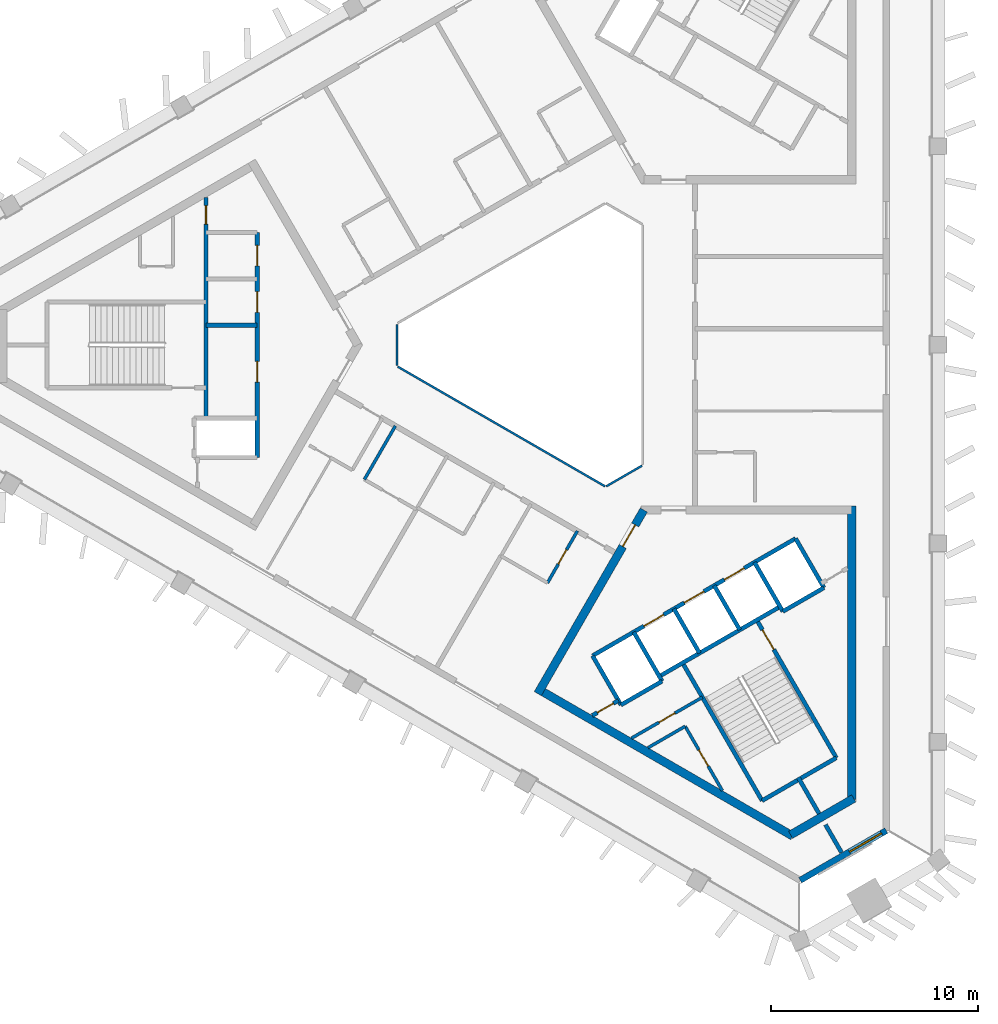
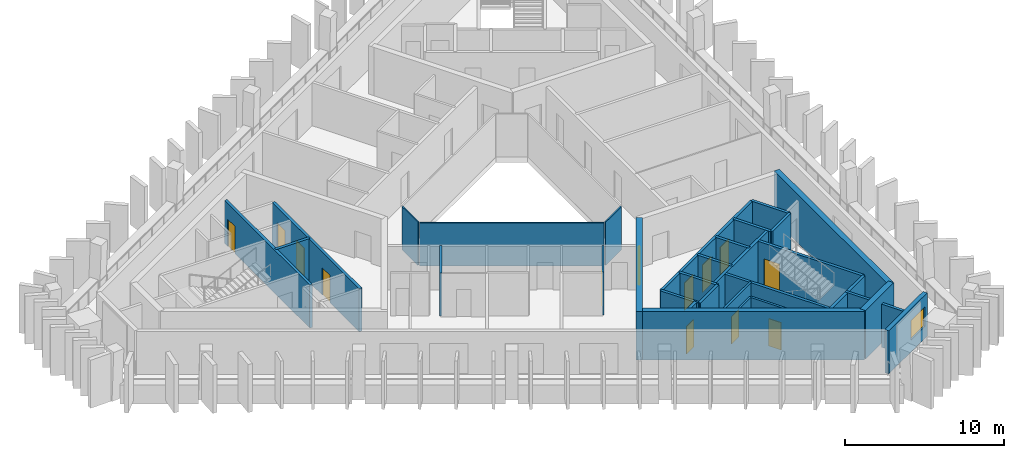
# One storey, part 3 of 10: 32 walls, 13 doors, 1 window, 14 openings.
"""IFC4 building model written with IfcOpenShell, lengths in metres."""

from ifc_helpers import new_model, si_unit, direction, frame, frame_2d, origin, place, context, subcontext, project, spatial, rectangle, extrude, material, layer, layer_set, type_object, element, fill, save


model = new_model("IFC4")

# Units and contexts
model_context = context("Model", 3, precision=1e-05, world=origin(), true_north=direction((0.0, 1.0)))
body_context = subcontext(model_context, "Body", "Model", "MODEL_VIEW")
ifc_project = project(units=[si_unit("LENGTHUNIT", "METRE"), si_unit("AREAUNIT", "SQUARE_METRE"), si_unit("VOLUMEUNIT", "CUBIC_METRE"), si_unit("PLANEANGLEUNIT", "RADIAN"), si_unit("MASSUNIT", "GRAM", prefix="KILO")], contexts=[model_context])

# Site, building, storey
site_placement = place(None, origin())
site = spatial("IfcSite", under=ifc_project, at=site_placement, CompositionType="ELEMENT")
building_placement = place(site_placement, origin())
building = spatial("IfcBuilding", under=site, at=building_placement, Name="Jabali Bay Hotel Tower and Convention Centre", CompositionType="ELEMENT")
storey_placement = place(building_placement, frame((0.0, 0.0, 284.89990234375)))
storey = spatial("IfcBuildingStorey", under=building, at=storey_placement, Name="L70", CompositionType="ELEMENT", Elevation=284.89990234375)

# Walls
ifc_material_1 = material(Name="Fire-resistant glazing", Category="glass")
ifc_layer_1 = layer(ifc_material_1, 0.10009765625)
ifc_layer_set_1 = layer_set([ifc_layer_1], Name="Fire-resistant glazing")
wall_type_1 = type_object("IfcWallType", Name="Atrium glazed screen 100", PredefinedType="PARTITIONING", material=ifc_layer_set_1)
wall_1_placement = place(storey_placement, frame((67.672119140625, 81.0, 0.0), z_axis=(0.0, 0.0, 1.0), x_axis=(0.0, -1.0, 0.0)))
element("IfcWall", 1, at=wall_1_placement, inside=storey, type_object=wall_type_1, Name="Atrium screen 4 L70", PredefinedType="PARTITIONING", context=body_context, shape_type="SweptSolid", body=[
    extrude(rectangle(XDim=2.0, YDim=0.10009765625, at=frame_2d((1.0, 0.0))), origin(), (0.0, 0.0, 1.0), 3.300048828125),
])
wall_2_placement = place(storey_placement, frame((67.7021484375, 78.947998046875, 0.0), z_axis=(0.0, 0.0, 1.0), x_axis=(0.866026658274, -0.499997827154, 0.0)))
element("IfcWall", 2, at=wall_2_placement, inside=storey, type_object=wall_type_1, Name="Atrium screen 5 L70", PredefinedType="PARTITIONING", context=body_context, shape_type="SweptSolid", body=[
    extrude(rectangle(XDim=11.58837890625, YDim=0.10009765625, at=frame_2d((5.794189453125, 0.0))), origin(), (0.0, 0.0, 1.0), 3.300048828125),
])
wall_3_placement = place(storey_placement, frame((77.7978515625, 73.15380859375, 0.0), z_axis=(0.0, 0.0, 1.0), x_axis=(0.866041268327, 0.499972520799, 0.0)))
element("IfcWall", 3, at=wall_3_placement, inside=storey, type_object=wall_type_1, Name="Atrium screen 6 L70", PredefinedType="PARTITIONING", context=body_context, shape_type="SweptSolid", body=[
    extrude(rectangle(XDim=2.0, YDim=0.10009765625, at=frame_2d((1.0, 0.0))), origin(), (0.0, 0.0, 1.0), 3.300048828125),
])
ifc_material_2 = material(Name="Concrete C40", Category="concrete")
ifc_layer_2 = layer(ifc_material_2, 0.199951171875)
ifc_layer_set_2 = layer_set([ifc_layer_2], Name="Concrete C40")
wall_type_2 = type_object("IfcWallType", Name="Core partition wall 200", PredefinedType="PARTITIONING", material=ifc_layer_set_2)
wall_4_placement = place(storey_placement, frame((87.090087890625, 59.0595703125, 0.0), z_axis=(0.0, 0.0, 1.0), x_axis=(0.499941815747, -0.866058993873, 0.0)))
element("IfcWall", 4, at=wall_4_placement, inside=storey, type_object=wall_type_2, Name="Core wall 2.5 L70", PredefinedType="PARTITIONING", context=body_context, shape_type="SweptSolid", body=[
    extrude(rectangle(XDim=2.023193359375, YDim=0.199951171875, at=frame_2d((1.01171875, 0.0))), origin(), (0.0, 0.0, 1.0), 3.300048828125),
])

# Wall, opening, door
wall_5_placement = place(storey_placement, frame((77.119873046875, 62.055908203125, 0.0), z_axis=(0.0, 0.0, 1.0), x_axis=(0.866054810376, 0.49994906283, 0.0)))
wall_5 = element("IfcWall", 5, at=wall_5_placement, inside=storey, type_object=wall_type_2, Name="Core wall 2.12 L70", PredefinedType="PARTITIONING", context=body_context, shape_type="SweptSolid", body=[
    extrude(rectangle(XDim=1.461181640625, YDim=0.199951171875, at=frame_2d((0.73046875, 0.0))), origin(), (0.0, 0.0, 1.0), 3.300048828125),
])
opening_1_placement = place(wall_5_placement, frame((0.280517578125, 0.0, 0.0)))
opening_1 = element("IfcOpeningElement", 6, at=opening_1_placement, cuts=wall_5, Name="Opening D1561", PredefinedType="OPENING", context=body_context, shape_type="SweptSolid", body=[
    extrude(rectangle(XDim=0.89990234375, YDim=2.10009765625, at=frame_2d((0.449951171875, 1.050048828125))), frame((0.0, 0.1103515625, 0.0), z_axis=(0.0, -1.0, 0.0), x_axis=(1.0, 0.0, 0.0)), (0.0, 0.0, 1.0), 0.220947265625),
])
ifc_material_3 = material(Name="Fire-rated steel door", Category="steel")
door_type_1 = type_object("IfcDoorType", Name="Vestibule fire door 900 x 2100", OperationType="NOTDEFINED", PredefinedType="NOTDEFINED", material=ifc_material_3)
door_1_placement = place(opening_1_placement, origin())
door_1 = element("IfcDoor", 7, at=door_1_placement, inside=storey, type_object=door_type_1, Name="Vestibule fire door D1561", OperationType="SINGLE_SWING_LEFT", OverallHeight=2.10009765625, OverallWidth=0.89990234375, PredefinedType="NOTDEFINED", context=body_context, shape_type="SweptSolid", body=[
    extrude(rectangle(XDim=0.89990234375, YDim=2.10009765625, at=frame_2d((0.449951171875, 1.050048828125))), frame((0.0, 0.02490234375, 0.0), z_axis=(0.0, -1.0, 0.0), x_axis=(1.0, 0.0, 0.0)), (0.0, 0.0, 1.0), 0.050048828125),
])
fill(opening_1, door_1)

ifc_material_4 = material(Name="Fire-rated board partition")
ifc_layer_3 = layer(ifc_material_4, 0.14990234375)
ifc_layer_set_3 = layer_set([ifc_layer_3], Name="Fire-rated board partition")
wall_type_3 = type_object("IfcWallType", Name="Core room partition 150", PredefinedType="PARTITIONING", material=ifc_layer_set_3)
wall_6_placement = place(storey_placement, frame((81.618896484375, 61.53564453125, 0.0), z_axis=(0.0, 0.0, 1.0), x_axis=(0.499992664208, -0.866029639064, 0.0)))
wall_6 = element("IfcWall", 8, at=wall_6_placement, inside=storey, type_object=wall_type_3, Name="Core wall 2.1 L70", PredefinedType="PARTITIONING", context=body_context, shape_type="SweptSolid", body=[
    extrude(rectangle(XDim=3.59765625, YDim=0.14990234375, at=frame_2d((1.798828125, 0.0))), origin(), (0.0, 0.0, 1.0), 3.300048828125),
])
opening_2_placement = place(wall_6_placement, frame((1.321533203125, 0.0, 0.0)))
opening_2 = element("IfcOpeningElement", 9, at=opening_2_placement, cuts=wall_6, Name="Opening D1563", PredefinedType="OPENING", context=body_context, shape_type="SweptSolid", body=[
    extrude(rectangle(XDim=0.89990234375, YDim=2.10009765625, at=frame_2d((0.449951171875, 1.050048828125))), frame((0.0, 0.08544921875, 0.0), z_axis=(0.0, -1.0, 0.0), x_axis=(1.0, 0.0, 0.0)), (0.0, 0.0, 1.0), 0.1708984375),
])
door_type_2 = type_object("IfcDoorType", Name="Core room door 900 x 2100", OperationType="NOTDEFINED", PredefinedType="NOTDEFINED", material=ifc_material_3)
door_2_placement = place(opening_2_placement, origin())
door_2 = element("IfcDoor", 10, at=door_2_placement, inside=storey, type_object=door_type_2, Name="Core room door D1563", OperationType="SINGLE_SWING_LEFT", OverallHeight=2.10009765625, OverallWidth=0.89990234375, PredefinedType="NOTDEFINED", context=body_context, shape_type="SweptSolid", body=[
    extrude(rectangle(XDim=0.89990234375, YDim=2.10009765625, at=frame_2d((0.449951171875, 1.050048828125))), frame((0.0, 0.02490234375, 0.0), z_axis=(0.0, -1.0, 0.0), x_axis=(1.0, 0.0, 0.0)), (0.0, 0.0, 1.0), 0.050048828125),
])
fill(opening_2, door_2)

wall_7_placement = place(storey_placement, frame((79.02001953125, 60.958984375, 0.0), z_axis=(0.0, 0.0, 1.0), x_axis=(0.866028661061, 0.499994358189, 0.0)))
wall_7 = element("IfcWall", 11, at=wall_7_placement, inside=storey, type_object=wall_type_3, Name="Core wall 2.16 L70", PredefinedType="PARTITIONING", context=body_context, shape_type="SweptSolid", body=[
    extrude(rectangle(XDim=3.9638671875, YDim=0.14990234375, at=frame_2d((1.98193359375, 0.0))), origin(), (0.0, 0.0, 1.0), 3.300048828125),
])
opening_3_placement = place(wall_7_placement, frame((1.531982421875, 0.0, 0.0)))
opening_3 = element("IfcOpeningElement", 12, at=opening_3_placement, cuts=wall_7, Name="Opening D1559", PredefinedType="OPENING", context=body_context, shape_type="SweptSolid", body=[
    extrude(rectangle(XDim=0.89990234375, YDim=2.10009765625, at=frame_2d((0.449951171875, 1.050048828125))), frame((0.0, 0.08544921875, 0.0), z_axis=(0.0, -1.0, 0.0), x_axis=(1.0, 0.0, 0.0)), (0.0, 0.0, 1.0), 0.1708984375),
])
door_3_placement = place(opening_3_placement, origin())
door_3 = element("IfcDoor", 13, at=door_3_placement, inside=storey, type_object=door_type_2, Name="Core room door D1559", OperationType="SINGLE_SWING_RIGHT", OverallHeight=2.10009765625, OverallWidth=0.89990234375, PredefinedType="NOTDEFINED", context=body_context, shape_type="SweptSolid", body=[
    extrude(rectangle(XDim=0.89990234375, YDim=2.10009765625, at=frame_2d((0.449951171875, 1.050048828125))), frame((0.0, 0.02490234375, 0.0), z_axis=(0.0, -1.0, 0.0), x_axis=(1.0, 0.0, 0.0)), (0.0, 0.0, 1.0), 0.050048828125),
])
fill(opening_3, door_3)

# Walls
wall_8_placement = place(storey_placement, frame((79.820068359375, 60.4970703125, 0.0), z_axis=(0.0, 0.0, 1.0), x_axis=(0.866021168401, 0.500007335828, 0.0)))
element("IfcWall", 14, at=wall_8_placement, inside=storey, type_object=wall_type_3, Name="Core wall 2.17 L70", PredefinedType="PARTITIONING", context=body_context, shape_type="SweptSolid", body=[
    extrude(rectangle(XDim=2.0771484375, YDim=0.14990234375, at=frame_2d((1.03857421875, 0.0))), origin(), (0.0, 0.0, 1.0), 3.300048828125),
])
ifc_layer_4 = layer(ifc_material_2, 0.199951171875)
ifc_layer_set_4 = layer_set([ifc_layer_4], Name="Concrete C40")
wall_type_4 = type_object("IfcWallType", Name="Core stair wall 200", PredefinedType="SOLIDWALL", material=ifc_layer_set_4)
wall_9_placement = place(storey_placement, frame((60.89990234375, 80.949951171875, 0.0), z_axis=(0.0, 0.0, 1.0), x_axis=(-1.0, 0.0, 0.0)))
element("IfcWall", 15, at=wall_9_placement, inside=storey, type_object=wall_type_4, Name="Core wall 0.4 L70", PredefinedType="SOLIDWALL", context=body_context, shape_type="SweptSolid", body=[
    extrude(rectangle(XDim=2.47998046875, YDim=0.199951171875, at=frame_2d((1.239990234375, 0.0))), origin(), (0.0, 0.0, 1.0), 3.300048828125),
])

# Wall, openings, doors
wall_10_placement = place(storey_placement, frame((60.89990234375, 85.449951171875, 0.0), z_axis=(0.0, 0.0, 1.0), x_axis=(0.0, -1.0, 0.0)))
wall_10 = element("IfcWall", 16, at=wall_10_placement, inside=storey, type_object=wall_type_4, Name="Core wall 0.9 L70", PredefinedType="SOLIDWALL", context=body_context, shape_type="SweptSolid", body=[
    extrude(rectangle(XDim=10.89990234375, YDim=0.199951171875, at=frame_2d((5.449951171875, 0.0))), origin(), (0.0, 0.0, 1.0), 3.300048828125),
])
opening_4_placement = place(wall_10_placement, frame((0.625, 0.0, 0.0)))
opening_4 = element("IfcOpeningElement", 17, at=opening_4_placement, cuts=wall_10, Name="Opening D1541", PredefinedType="OPENING", context=body_context, shape_type="SweptSolid", body=[
    extrude(rectangle(XDim=1.0, YDim=2.10009765625, at=frame_2d((0.5, 1.050048828125))), frame((0.0, 0.1103515625, 0.0), z_axis=(0.0, -1.0, 0.0), x_axis=(1.0, 0.0, 0.0)), (0.0, 0.0, 1.0), 0.220947265625),
])
opening_5_placement = place(wall_10_placement, frame((2.875, 0.0, 0.0)))
opening_5 = element("IfcOpeningElement", 18, at=opening_5_placement, cuts=wall_10, Name="Opening D1542", PredefinedType="OPENING", context=body_context, shape_type="SweptSolid", body=[
    extrude(rectangle(XDim=1.0, YDim=2.10009765625, at=frame_2d((0.5, 1.050048828125))), frame((0.0, 0.1103515625, 0.0), z_axis=(0.0, -1.0, 0.0), x_axis=(1.0, 0.0, 0.0)), (0.0, 0.0, 1.0), 0.220947265625),
])
opening_6_placement = place(wall_10_placement, frame((6.25, 0.0, 0.0)))
opening_6 = element("IfcOpeningElement", 19, at=opening_6_placement, cuts=wall_10, Name="Opening D1543", PredefinedType="OPENING", context=body_context, shape_type="SweptSolid", body=[
    extrude(rectangle(XDim=1.0, YDim=2.10009765625, at=frame_2d((0.5, 1.050048828125))), frame((0.0, 0.1103515625, 0.0), z_axis=(0.0, -1.0, 0.0), x_axis=(1.0, 0.0, 0.0)), (0.0, 0.0, 1.0), 0.220947265625),
])
door_type_3 = type_object("IfcDoorType", Name="Core room door 1000 x 2100", OperationType="NOTDEFINED", PredefinedType="NOTDEFINED", material=ifc_material_3)
door_4_placement = place(opening_4_placement, origin())
door_4 = element("IfcDoor", 20, at=door_4_placement, inside=storey, type_object=door_type_3, Name="Core room door D1541", OperationType="SINGLE_SWING_RIGHT", OverallHeight=2.10009765625, OverallWidth=1.0, PredefinedType="NOTDEFINED", context=body_context, shape_type="SweptSolid", body=[
    extrude(rectangle(XDim=1.0, YDim=2.10009765625, at=frame_2d((0.5, 1.050048828125))), frame((0.0, 0.02490234375, 0.0), z_axis=(0.0, -1.0, 0.0), x_axis=(1.0, 0.0, 0.0)), (0.0, 0.0, 1.0), 0.050048828125),
])
fill(opening_4, door_4)
door_5_placement = place(opening_5_placement, origin())
door_5 = element("IfcDoor", 21, at=door_5_placement, inside=storey, type_object=door_type_3, Name="Core room door D1542", OperationType="SINGLE_SWING_RIGHT", OverallHeight=2.10009765625, OverallWidth=1.0, PredefinedType="NOTDEFINED", context=body_context, shape_type="SweptSolid", body=[
    extrude(rectangle(XDim=1.0, YDim=2.10009765625, at=frame_2d((0.5, 1.050048828125))), frame((0.0, 0.02490234375, 0.0), z_axis=(0.0, -1.0, 0.0), x_axis=(1.0, 0.0, 0.0)), (0.0, 0.0, 1.0), 0.050048828125),
])
fill(opening_5, door_5)
door_6_placement = place(opening_6_placement, origin())
door_6 = element("IfcDoor", 22, at=door_6_placement, inside=storey, type_object=door_type_3, Name="Core room door D1543", OperationType="SINGLE_SWING_RIGHT", OverallHeight=2.10009765625, OverallWidth=1.0, PredefinedType="NOTDEFINED", context=body_context, shape_type="SweptSolid", body=[
    extrude(rectangle(XDim=1.0, YDim=2.10009765625, at=frame_2d((0.5, 1.050048828125))), frame((0.0, 0.02490234375, 0.0), z_axis=(0.0, -1.0, 0.0), x_axis=(1.0, 0.0, 0.0)), (0.0, 0.0, 1.0), 0.050048828125),
])
fill(opening_6, door_6)

# Wall, opening, door
wall_11_placement = place(storey_placement, frame((58.419921875, 87.147705078125, 0.0), z_axis=(0.0, 0.0, 1.0), x_axis=(0.0, -1.0, 0.0)))
wall_11 = element("IfcWall", 23, at=wall_11_placement, inside=storey, type_object=wall_type_4, Name="Core wall 0.10 L70", PredefinedType="SOLIDWALL", context=body_context, shape_type="SweptSolid", body=[
    extrude(rectangle(XDim=10.69775390625, YDim=0.199951171875, at=frame_2d((5.348876953125, 0.0))), origin(), (0.0, 0.0, 1.0), 3.300048828125),
])
opening_7_placement = place(wall_11_placement, frame((0.398681640625, 0.0, 0.0)))
opening_7 = element("IfcOpeningElement", 24, at=opening_7_placement, cuts=wall_11, Name="Opening D1545", PredefinedType="OPENING", context=body_context, shape_type="SweptSolid", body=[
    extrude(rectangle(XDim=0.89990234375, YDim=2.10009765625, at=frame_2d((0.449951171875, 1.050048828125))), frame((0.0, 0.1103515625, 0.0), z_axis=(0.0, -1.0, 0.0), x_axis=(1.0, 0.0, 0.0)), (0.0, 0.0, 1.0), 0.220947265625),
])
door_7_placement = place(opening_7_placement, origin())
door_7 = element("IfcDoor", 25, at=door_7_placement, inside=storey, type_object=door_type_1, Name="Vestibule fire door D1545", OperationType="SINGLE_SWING_LEFT", OverallHeight=2.10009765625, OverallWidth=0.89990234375, PredefinedType="NOTDEFINED", context=body_context, shape_type="SweptSolid", body=[
    extrude(rectangle(XDim=0.89990234375, YDim=2.10009765625, at=frame_2d((0.449951171875, 1.050048828125))), frame((0.0, 0.02490234375, 0.0), z_axis=(0.0, -1.0, 0.0), x_axis=(1.0, 0.0, 0.0)), (0.0, 0.0, 1.0), 0.050048828125),
])
fill(opening_7, door_7)

# Walls
for number, where, z_axis, x_axis, name in (
    (26, (77.13525390625, 64.95166015625, 0.0), (0.0, 0.0, 1.0), (0.499996545922, -0.866027397988, 0.0), "Core wall 2.0 L70"),
    (27, (79.127197265625, 66.1015625, 0.0), (0.0, 0.0, 1.0), (0.499996545922, -0.866027397988, 0.0), "Core wall 2.2 L70"),
):
    element("IfcWall", number, at=place(storey_placement, frame(where, z_axis=z_axis, x_axis=x_axis)), inside=storey, type_object=wall_type_4, Name=name, PredefinedType="SOLIDWALL", context=body_context, shape_type="SweptSolid", body=[
        extrude(rectangle(XDim=2.75, YDim=0.199951171875, at=frame_2d((1.375, 0.0))), origin(), (0.0, 0.0, 1.0), 3.300048828125),
    ])
wall_12_placement = place(storey_placement, frame((81.492919921875, 64.603759765625, 0.0), z_axis=(0.0, 0.0, 1.0), x_axis=(0.500006057782, -0.866021906294, 0.0)))
element("IfcWall", 28, at=wall_12_placement, inside=storey, type_object=wall_type_4, Name="Core wall 2.3 L70", PredefinedType="SOLIDWALL", context=body_context, shape_type="SweptSolid", body=[
    extrude(rectangle(XDim=7.7001953125, YDim=0.199951171875, at=frame_2d((3.85009765625, 0.0))), origin(), (0.0, 0.0, 1.0), 3.300048828125),
])
for number, where, z_axis, x_axis, name in (
    (29, (81.07568359375, 67.2265625, 0.0), (0.0, 0.0, 1.0), (0.50000366821, -0.866023285932, 0.0), "Core wall 2.4 L70"),
    (30, (83.024169921875, 68.3515625, 0.0), (0.0, 0.0, 1.0), (0.50000366821, -0.866023285932, 0.0), "Core wall 2.6 L70"),
):
    element("IfcWall", number, at=place(storey_placement, frame(where, z_axis=z_axis, x_axis=x_axis)), inside=storey, type_object=wall_type_4, Name=name, PredefinedType="SOLIDWALL", context=body_context, shape_type="SweptSolid", body=[
        extrude(rectangle(XDim=2.47998046875, YDim=0.199951171875, at=frame_2d((1.239990234375, 0.0))), origin(), (0.0, 0.0, 1.0), 3.300048828125),
    ])

# Wall, opening, door
wall_13_placement = place(storey_placement, frame((85.0869140625, 66.6787109375, 0.0), z_axis=(0.0, 0.0, 1.0), x_axis=(0.500019787375, -0.866013979237, 0.0)))
wall_13 = element("IfcWall", 31, at=wall_13_placement, inside=storey, type_object=wall_type_4, Name="Core wall 2.7 L70", PredefinedType="SOLIDWALL", context=body_context, shape_type="SweptSolid", body=[
    extrude(rectangle(XDim=7.699951171875, YDim=0.199951171875, at=frame_2d((3.85009765625, 0.0))), origin(), (0.0, 0.0, 1.0), 3.300048828125),
])
opening_8_placement = place(wall_13_placement, frame((0.550048828125, 0.0, 0.0)))
opening_8 = element("IfcOpeningElement", 32, at=opening_8_placement, cuts=wall_13, Name="Opening D1562", PredefinedType="OPENING", context=body_context, shape_type="SweptSolid", body=[
    extrude(rectangle(XDim=1.10009765625, YDim=2.10009765625, at=frame_2d((0.550048828125, 1.050048828125))), frame((0.0, 0.1103515625, 0.0), z_axis=(0.0, -1.0, 0.0), x_axis=(1.0, 0.0, 0.0)), (0.0, 0.0, 1.0), 0.220947265625),
])
door_type_4 = type_object("IfcDoorType", Name="Stair fire door 1100 x 2100", OperationType="NOTDEFINED", PredefinedType="NOTDEFINED", material=ifc_material_3)
door_8_placement = place(opening_8_placement, origin())
door_8 = element("IfcDoor", 33, at=door_8_placement, inside=storey, type_object=door_type_4, Name="Stair fire door D1562", OperationType="SINGLE_SWING_RIGHT", OverallHeight=2.10009765625, OverallWidth=1.10009765625, PredefinedType="NOTDEFINED", context=body_context, shape_type="SweptSolid", body=[
    extrude(rectangle(XDim=1.10009765625, YDim=2.10009765625, at=frame_2d((0.550048828125, 1.050048828125))), frame((0.0, 0.02490234375, 0.0), z_axis=(0.0, -1.0, 0.0), x_axis=(1.0, 0.0, 0.0)), (0.0, 0.0, 1.0), 0.050048828125),
])
fill(opening_8, door_8)

# Walls
for number, where, z_axis, x_axis, name in (
    (34, (84.972900390625, 69.4765625, 0.0), (0.0, 0.0, 1.0), (0.499996545922, -0.866027397988, 0.0), "Core wall 2.8 L70"),
    (35, (86.964599609375, 70.62646484375, 0.0), (0.0, 0.0, 1.0), (0.499996545922, -0.866027397988, 0.0), "Core wall 2.9 L70"),
):
    element("IfcWall", number, at=place(storey_placement, frame(where, z_axis=z_axis, x_axis=x_axis)), inside=storey, type_object=wall_type_4, Name=name, PredefinedType="SOLIDWALL", context=body_context, shape_type="SweptSolid", body=[
        extrude(rectangle(XDim=2.75, YDim=0.199951171875, at=frame_2d((1.375, 0.0))), origin(), (0.0, 0.0, 1.0), 3.300048828125),
    ])

# Wall, openings, doors
wall_14_placement = place(storey_placement, frame((77.13525390625, 64.95166015625, 0.0), z_axis=(0.0, 0.0, 1.0), x_axis=(0.866031916153, 0.499988720078, 0.0)))
wall_14 = element("IfcWall", 36, at=wall_14_placement, inside=storey, type_object=wall_type_4, Name="Core wall 2.10 L70", PredefinedType="SOLIDWALL", context=body_context, shape_type="SweptSolid", body=[
    extrude(rectangle(XDim=11.349853515625, YDim=0.199951171875, at=frame_2d((5.6748046875, 0.0))), origin(), (0.0, 0.0, 1.0), 3.300048828125),
])
opening_9_placement = place(wall_14_placement, frame((2.875, 0.0, 0.0)))
opening_9 = element("IfcOpeningElement", 37, at=opening_9_placement, cuts=wall_14, Name="Opening LD12-L70", PredefinedType="OPENING", context=body_context, shape_type="SweptSolid", body=[
    extrude(rectangle(XDim=1.10009765625, YDim=2.10009765625, at=frame_2d((0.550048828125, 1.050048828125))), frame((0.0, 0.1103515625, 0.0), z_axis=(0.0, -1.0, 0.0), x_axis=(1.0, 0.0, 0.0)), (0.0, 0.0, 1.0), 0.220947265625),
])
opening_10_placement = place(wall_14_placement, frame((5.125, 0.0, 0.0)))
opening_10 = element("IfcOpeningElement", 38, at=opening_10_placement, cuts=wall_14, Name="Opening LD13-L70", PredefinedType="OPENING", context=body_context, shape_type="SweptSolid", body=[
    extrude(rectangle(XDim=1.10009765625, YDim=2.10009765625, at=frame_2d((0.550048828125, 1.050048828125))), frame((0.0, 0.1103515625, 0.0), z_axis=(0.0, -1.0, 0.0), x_axis=(1.0, 0.0, 0.0)), (0.0, 0.0, 1.0), 0.220947265625),
])
opening_11_placement = place(wall_14_placement, frame((7.375, 0.0, 0.0)))
opening_11 = element("IfcOpeningElement", 39, at=opening_11_placement, cuts=wall_14, Name="Opening LD14-L70", PredefinedType="OPENING", context=body_context, shape_type="SweptSolid", body=[
    extrude(rectangle(XDim=1.10009765625, YDim=2.10009765625, at=frame_2d((0.550048828125, 1.050048828125))), frame((0.0, 0.1103515625, 0.0), z_axis=(0.0, -1.0, 0.0), x_axis=(1.0, 0.0, 0.0)), (0.0, 0.0, 1.0), 0.220947265625),
])
ifc_material_5 = material(Name="Stainless steel landing door", Category="steel")
door_type_5 = type_object("IfcDoorType", Name="Landing door 1100 x 2100", OperationType="NOTDEFINED", PredefinedType="NOTDEFINED", material=ifc_material_5)
door_9_placement = place(opening_9_placement, origin())
door_9 = element("IfcDoor", 40, at=door_9_placement, inside=storey, type_object=door_type_5, Name="Landing doors LD12-L70", OperationType="SLIDING_TO_LEFT", OverallHeight=2.10009765625, OverallWidth=1.10009765625, PredefinedType="NOTDEFINED", context=body_context, shape_type="SweptSolid", body=[
    extrude(rectangle(XDim=1.10009765625, YDim=2.10009765625, at=frame_2d((0.550048828125, 1.050048828125))), frame((0.0, 0.02490234375, 0.0), z_axis=(0.0, -1.0, 0.0), x_axis=(1.0, 0.0, 0.0)), (0.0, 0.0, 1.0), 0.050048828125),
])
fill(opening_9, door_9)
door_10_placement = place(opening_10_placement, origin())
door_10 = element("IfcDoor", 41, at=door_10_placement, inside=storey, type_object=door_type_5, Name="Landing doors LD13-L70", OperationType="SLIDING_TO_RIGHT", OverallHeight=2.10009765625, OverallWidth=1.10009765625, PredefinedType="NOTDEFINED", context=body_context, shape_type="SweptSolid", body=[
    extrude(rectangle(XDim=1.10009765625, YDim=2.10009765625, at=frame_2d((0.550048828125, 1.050048828125))), frame((0.0, 0.02490234375, 0.0), z_axis=(0.0, -1.0, 0.0), x_axis=(1.0, 0.0, 0.0)), (0.0, 0.0, 1.0), 0.050048828125),
])
fill(opening_10, door_10)
door_11_placement = place(opening_11_placement, origin())
door_11 = element("IfcDoor", 42, at=door_11_placement, inside=storey, type_object=door_type_5, Name="Landing doors LD14-L70", OperationType="SLIDING_TO_LEFT", OverallHeight=2.10009765625, OverallWidth=1.10009765625, PredefinedType="NOTDEFINED", context=body_context, shape_type="SweptSolid", body=[
    extrude(rectangle(XDim=1.10009765625, YDim=2.10009765625, at=frame_2d((0.550048828125, 1.050048828125))), frame((0.0, 0.02490234375, 0.0), z_axis=(0.0, -1.0, 0.0), x_axis=(1.0, 0.0, 0.0)), (0.0, 0.0, 1.0), 0.050048828125),
])
fill(opening_11, door_11)

# Walls
wall_15_placement = place(storey_placement, frame((80.3671875, 63.953857421875, 0.0), z_axis=(0.0, 0.0, 1.0), x_axis=(0.866026575979, 0.499997969693, 0.0)))
element("IfcWall", 43, at=wall_15_placement, inside=storey, type_object=wall_type_4, Name="Core wall 2.11 L70", PredefinedType="SOLIDWALL", context=body_context, shape_type="SweptSolid", body=[
    extrude(rectangle(XDim=6.75, YDim=0.199951171875, at=frame_2d((3.375, 0.0))), origin(), (0.0, 0.0, 1.0), 3.300048828125),
])
wall_16_placement = place(storey_placement, frame((78.51025390625, 62.570068359375, 0.0), z_axis=(0.0, 0.0, 1.0), x_axis=(0.866053019151, 0.499952165731, 0.0)))
element("IfcWall", 44, at=wall_16_placement, inside=storey, type_object=wall_type_4, Name="Core wall 2.14 L70", PredefinedType="SOLIDWALL", context=body_context, shape_type="SweptSolid", body=[
    extrude(rectangle(XDim=2.300048828125, YDim=0.199951171875, at=frame_2d((1.14990234375, 0.0))), origin(), (0.0, 0.0, 1.0), 3.300048828125),
])
wall_17_placement = place(storey_placement, frame((86.347900390625, 67.094970703125, 0.0), z_axis=(0.0, 0.0, 1.0), x_axis=(0.86602648383, 0.499998129301, 0.0)))
element("IfcWall", 45, at=wall_17_placement, inside=storey, type_object=wall_type_4, Name="Core wall 2.15 L70", PredefinedType="SOLIDWALL", context=body_context, shape_type="SweptSolid", body=[
    extrude(rectangle(XDim=2.2998046875, YDim=0.199951171875, at=frame_2d((1.14990234375, 0.0))), origin(), (0.0, 0.0, 1.0), 3.300048828125),
])
wall_18_placement = place(storey_placement, frame((85.343017578125, 57.935302734375, 0.0), z_axis=(0.0, 0.0, 1.0), x_axis=(0.866004344652, 0.500036473714, 0.0)))
element("IfcWall", 46, at=wall_18_placement, inside=storey, type_object=wall_type_4, Name="Core wall 2.18 L70", PredefinedType="SOLIDWALL", context=body_context, shape_type="SweptSolid", body=[
    extrude(rectangle(XDim=4.150146484375, YDim=0.199951171875, at=frame_2d((2.0751953125, 0.0))), origin(), (0.0, 0.0, 1.0), 3.300048828125),
])

# Wall, opening, door
ifc_material_6 = material(Name="Concrete C60", Category="concrete")
ifc_layer_5 = layer(ifc_material_6, 0.39990234375)
ifc_layer_set_5 = layer_set([ifc_layer_5], Name="Concrete C60")
wall_type_5 = type_object("IfcWallType", Name="Core wall 400", PredefinedType="SHEAR", material=ifc_layer_set_5)
wall_19_placement = place(storey_placement, frame((79.615478515625, 72.005859375, 0.0), z_axis=(0.0, 0.0, 1.0), x_axis=(-0.50000177223, -0.866024380585, 0.0)))
wall_19 = element("IfcWall", 47, at=wall_19_placement, inside=storey, type_object=wall_type_5, Name="Core wall 3.1 L70", PredefinedType="SHEAR", context=body_context, shape_type="SweptSolid", body=[
    extrude(rectangle(XDim=10.2646484375, YDim=0.39990234375, at=frame_2d((5.13232421875, 0.0))), origin(), (0.0, 0.0, 1.0), 3.7001953125),
])
opening_12_placement = place(wall_19_placement, frame((0.83447265625, 0.0, 0.0)))
opening_12 = element("IfcOpeningElement", 48, at=opening_12_placement, cuts=wall_19, Name="Opening D1557", PredefinedType="OPENING", context=body_context, shape_type="SweptSolid", body=[
    extrude(rectangle(XDim=1.199951171875, YDim=2.10009765625, at=frame_2d((0.60009765625, 1.050048828125))), frame((0.0, 0.21044921875, 0.0), z_axis=(0.0, -1.0, 0.0), x_axis=(1.0, 0.0, 0.0)), (0.0, 0.0, 1.0), 0.4208984375),
])
door_type_6 = type_object("IfcDoorType", Name="Corridor end fire door 1200 x 2100", OperationType="NOTDEFINED", PredefinedType="NOTDEFINED", material=ifc_material_3)
door_12_placement = place(opening_12_placement, origin())
door_12 = element("IfcDoor", 49, at=door_12_placement, inside=storey, type_object=door_type_6, Name="Corridor end fire door D1557", OperationType="SINGLE_SWING_RIGHT", OverallHeight=2.10009765625, OverallWidth=1.199951171875, PredefinedType="NOTDEFINED", context=body_context, shape_type="SweptSolid", body=[
    extrude(rectangle(XDim=1.199951171875, YDim=2.10009765625, at=frame_2d((0.60009765625, 1.050048828125))), frame((0.0, 0.02490234375, 0.0), z_axis=(0.0, -1.0, 0.0), x_axis=(1.0, 0.0, 0.0)), (0.0, 0.0, 1.0), 0.050048828125),
])
fill(opening_12, door_12)

# Walls
wall_20_placement = place(storey_placement, frame((74.583251953125, 63.28955078125, 0.0), z_axis=(0.0, 0.0, 1.0), x_axis=(0.866024494188, -0.500001575463, 0.0)))
element("IfcWall", 50, at=wall_20_placement, inside=storey, type_object=wall_type_5, Name="Core wall 3.2 L70", PredefinedType="SHEAR", context=body_context, shape_type="SweptSolid", body=[
    extrude(rectangle(XDim=14.13330078125, YDim=0.39990234375, at=frame_2d((7.066650390625, 0.0))), origin(), (0.0, 0.0, 1.0), 3.7001953125),
])
wall_21_placement = place(storey_placement, frame((86.72314453125, 56.28076171875, 0.0), z_axis=(0.0, 0.0, 1.0), x_axis=(0.866025485263, 0.499999858875, 0.0)))
element("IfcWall", 51, at=wall_21_placement, inside=storey, type_object=wall_type_5, Name="Core wall 3.3 L70", PredefinedType="SHEAR", context=body_context, shape_type="SweptSolid", body=[
    extrude(rectangle(XDim=3.52978515625, YDim=0.39990234375, at=frame_2d((1.764892578125, 0.0))), origin(), (0.0, 0.0, 1.0), 3.7001953125),
])
wall_22_placement = place(storey_placement, frame((89.679931640625, 57.98779296875, 0.0), z_axis=(0.0, 0.0, 1.0), x_axis=(0.0, 1.0, 0.0)))
element("IfcWall", 52, at=wall_22_placement, inside=storey, type_object=wall_type_5, Name="Core wall 3.4 L70", PredefinedType="SHEAR", context=body_context, shape_type="SweptSolid", body=[
    extrude(rectangle(XDim=14.218017578125, YDim=0.39990234375, at=frame_2d((7.10888671875, 0.0))), origin(), (0.0, 0.0, 1.0), 3.7001953125),
])

# Wall, opening, window
ifc_layer_6 = layer(ifc_material_2, 0.300048828125)
ifc_layer_set_6 = layer_set([ifc_layer_6], Name="Concrete C40")
wall_type_6 = type_object("IfcWallType", Name="External wall 300", PredefinedType="SOLIDWALL", material=ifc_layer_set_6)
wall_23_placement = place(storey_placement, frame((91.353759765625, 56.48486328125, 0.0), z_axis=(0.0, 0.0, 1.0), x_axis=(-0.866023315909, -0.500003616288, 0.0)))
wall_23 = element("IfcWall", 53, at=wall_23_placement, inside=storey, type_object=wall_type_6, Name="External wall south-east chamfer L70", PredefinedType="SOLIDWALL", context=body_context, shape_type="SweptSolid", body=[
    extrude(rectangle(XDim=4.810546875, YDim=0.300048828125, at=frame_2d((2.4052734375, 0.0))), origin(), (0.0, 0.0, 1.0), 3.300048828125),
])
opening_13_placement = place(wall_23_placement, frame((0.25927734375, 0.0, 0.89990234375)))
opening_13 = element("IfcOpeningElement", 54, at=opening_13_placement, cuts=wall_23, Name="Opening W1", PredefinedType="OPENING", context=body_context, shape_type="SweptSolid", body=[
    extrude(rectangle(XDim=1.800048828125, YDim=1.5, at=frame_2d((0.89990234375, 0.75))), frame((0.0, 0.16064453125, 0.0), z_axis=(0.0, -1.0, 0.0), x_axis=(1.0, 0.0, 0.0)), (0.0, 0.0, 1.0), 0.321044921875),
])
ifc_material_7 = material(Name="Glass", Category="glass")
window_type = type_object("IfcWindowType", Name="Window 1800 x 1500", PartitioningType="SINGLE_PANEL", PredefinedType="WINDOW", material=ifc_material_7)
window_placement = place(opening_13_placement, origin())
window = element("IfcWindow", 55, at=window_placement, inside=storey, type_object=window_type, Name="Window 7001", OverallHeight=1.5, OverallWidth=1.800048828125, PartitioningType="SINGLE_PANEL", PredefinedType="WINDOW", context=body_context, shape_type="SweptSolid", body=[
    extrude(rectangle(XDim=1.800048828125, YDim=1.5, at=frame_2d((0.89990234375, 0.75))), frame((0.0, 0.030029296875, 0.0), z_axis=(0.0, -1.0, 0.0), x_axis=(1.0, 0.0, 0.0)), (0.0, 0.0, 1.0), 0.06005859375),
])
fill(opening_13, window)

# Wall
ifc_material_8 = material(Name="Plasterboard on steel stud", Category="steel")
ifc_layer_7 = layer(ifc_material_8, 0.14990234375)
ifc_layer_set_7 = layer_set([ifc_layer_7], Name="Plasterboard on steel stud")
wall_type_7 = type_object("IfcWallType", Name="Partition 150 wet", PredefinedType="PARTITIONING", material=ifc_layer_set_7)
wall_24_placement = place(storey_placement, frame((66.088623046875, 73.482666015625, 0.0), z_axis=(0.0, 0.0, 1.0), x_axis=(0.50002537861, 0.866010750942, 0.0)))
element("IfcWall", 56, at=wall_24_placement, inside=storey, type_object=wall_type_7, Name="Partition P03 L70 022", PredefinedType="PARTITIONING", context=body_context, shape_type="SweptSolid", body=[
    extrude(rectangle(XDim=2.999755859375, YDim=0.14990234375, at=frame_2d((1.5, 0.0))), origin(), (0.0, 0.0, 1.0), 3.300048828125),
])

# Wall, opening, door
wall_25_placement = place(storey_placement, frame((76.401611328125, 70.992431640625, 0.0), z_axis=(0.0, 0.0, 1.0), x_axis=(-0.499987231761, -0.866032775405, 0.0)))
wall_25 = element("IfcWall", 57, at=wall_25_placement, inside=storey, type_object=wall_type_7, Name="Partition P03 L70 028", PredefinedType="PARTITIONING", context=body_context, shape_type="SweptSolid", body=[
    extrude(rectangle(XDim=2.89990234375, YDim=0.14990234375, at=frame_2d((1.449951171875, 0.0))), origin(), (0.0, 0.0, 1.0), 3.300048828125),
])
opening_14_placement = place(wall_25_placement, frame((1.050048828125, 0.0, 0.0)))
opening_14 = element("IfcOpeningElement", 58, at=opening_14_placement, cuts=wall_25, Name="Opening 7018", PredefinedType="OPENING", context=body_context, shape_type="SweptSolid", body=[
    extrude(rectangle(XDim=0.800048828125, YDim=2.10009765625, at=frame_2d((0.39990234375, 1.050048828125))), frame((0.0, 0.08544921875, 0.0), z_axis=(0.0, -1.0, 0.0), x_axis=(1.0, 0.0, 0.0)), (0.0, 0.0, 1.0), 0.1708984375),
])
ifc_material_9 = material(Name="Timber", Category="wood")
door_type_7 = type_object("IfcDoorType", Name="En-suite door 800 x 2100", OperationType="NOTDEFINED", PredefinedType="NOTDEFINED", material=ifc_material_9)
door_13_placement = place(opening_14_placement, origin())
door_13 = element("IfcDoor", 59, at=door_13_placement, inside=storey, type_object=door_type_7, Name="Door 7018", OperationType="SINGLE_SWING_LEFT", OverallHeight=2.10009765625, OverallWidth=0.800048828125, PredefinedType="NOTDEFINED", context=body_context, shape_type="SweptSolid", body=[
    extrude(rectangle(XDim=0.800048828125, YDim=2.10009765625, at=frame_2d((0.39990234375, 1.050048828125))), frame((0.0, 0.02490234375, 0.0), z_axis=(0.0, -1.0, 0.0), x_axis=(1.0, 0.0, 0.0)), (0.0, 0.0, 1.0), 0.050048828125),
])
fill(opening_14, door_13)

# Wall
ifc_layer_8 = layer(ifc_material_8, 0.199951171875)
ifc_layer_set_8 = layer_set([ifc_layer_8], Name="Plasterboard on steel stud")
wall_type_8 = type_object("IfcWallType", Name="Partition 200 party", PredefinedType="PARTITIONING", material=ifc_layer_set_8)
wall_26_placement = place(storey_placement, frame((88.412353515625, 56.77099609375, 0.0), z_axis=(0.0, 0.0, 1.0), x_axis=(0.500072711917, -0.86598341947, 0.0)))
element("IfcWall", 60, at=wall_26_placement, inside=storey, type_object=wall_type_8, Name="Partition P01 L70 004", PredefinedType="PARTITIONING", context=body_context, shape_type="SweptSolid", body=[
    extrude(rectangle(XDim=1.548583984375, YDim=0.199951171875, at=frame_2d((0.7744140625, 0.0))), origin(), (0.0, 0.0, 1.0), 3.300048828125),
])

save(model, "model.ifc")
